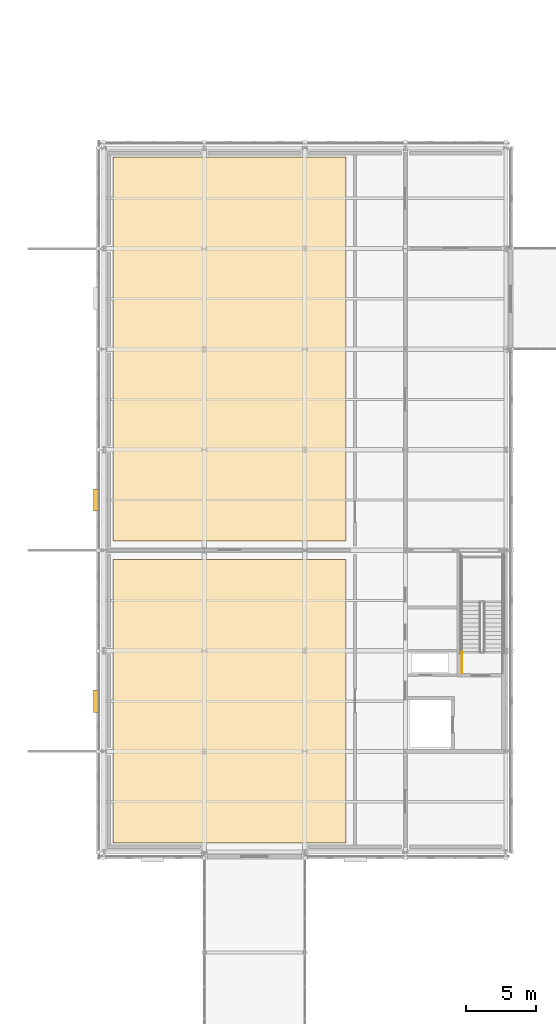
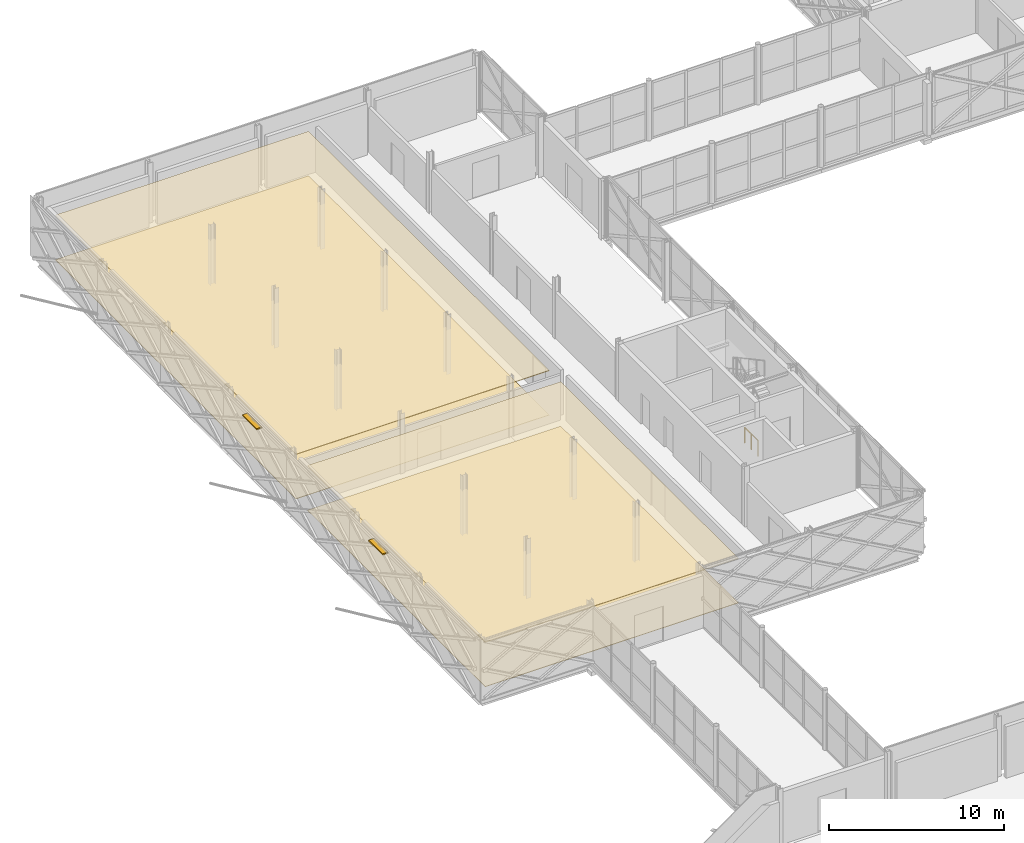
# One storey, part 139 of 146: 4 coverings, 2 shading devices, 1 railing.
"""IFC4 building model written with IfcOpenShell, lengths in metres."""

from ifc_helpers import new_model, si_unit, direction, frame, origin, origin_2d, place, context, subcontext, project, spatial, polyline, rectangle, circle, outline, extrude, material, layer, layer_set, type_object, element, save


model = new_model("IFC4")

# Units and contexts
model_context = context("Model", 3, precision=1e-05, world=origin(), true_north=direction((0.0, 1.0)))
body_context = subcontext(model_context, "Body", "Model", "MODEL_VIEW")
ifc_project = project(units=[si_unit("LENGTHUNIT", "METRE"), si_unit("AREAUNIT", "SQUARE_METRE"), si_unit("VOLUMEUNIT", "CUBIC_METRE"), si_unit("PLANEANGLEUNIT", "RADIAN"), si_unit("MASSUNIT", "GRAM", prefix="KILO")], contexts=[model_context])

# Site, building, storey
site_placement = place(None, origin())
site = spatial("IfcSite", under=ifc_project, at=site_placement, CompositionType="ELEMENT")
building_placement = place(site_placement, origin())
building = spatial("IfcBuilding", under=site, at=building_placement, Name="Zlatovets Crest Museum", CompositionType="ELEMENT")
storey_placement = place(building_placement, frame((0.0, 0.0, 4.5)))
storey = spatial("IfcBuildingStorey", under=building, at=storey_placement, Name="L01", CompositionType="ELEMENT", Elevation=4.5)

# Coverings
ifc_material_1 = material(Name="Micro-perforated gypsum acoustic gallery ceiling")
ifc_layer_1 = layer(ifc_material_1, 0.050048828125)
ifc_layer_set_1 = layer_set([ifc_layer_1], Name="Micro-perforated gypsum acoustic gallery ceiling")
covering_type_1 = type_object("IfcCoveringType", Name="GalleryCeiling_CLG1", PredefinedType="CEILING", material=ifc_layer_set_1)
covering_1_placement = place(storey_placement, frame((0.0, 0.0, 3.090087890625)))
element("IfcCovering", 1, at=covering_1_placement, inside=storey, type_object=covering_type_1, Name="Secession Furniture and Woodwork Salon Acoustic Ceiling", PredefinedType="CEILING", context=body_context, shape_type="SweptSolid", body=[
    extrude(outline(polyline([(7.85009765625, 51.050048828125), (24.550048828125, 51.050048828125), (24.550048828125, 71.35009765625), (7.85009765625, 71.35009765625), (7.85009765625, 51.050048828125)])), origin(), (0.0, 0.0, 1.0), 0.0498046875),
])
covering_2_placement = place(storey_placement, frame((0.0, 0.0, 3.090087890625)))
element("IfcCovering", 2, at=covering_2_placement, inside=storey, type_object=covering_type_1, Name="Wrought Iron and Bronze Artistry Gallery Acoustic Ceiling", PredefinedType="CEILING", context=body_context, shape_type="SweptSolid", body=[
    extrude(outline(polyline([(7.85009765625, 72.64990234375), (24.550048828125, 72.64990234375), (24.550048828125, 100.14990234375), (7.85009765625, 100.14990234375), (7.85009765625, 72.64990234375)])), origin(), (0.0, 0.0, 1.0), 0.0498046875),
])
ifc_material_2 = material(Name="Quarter-sawn European oak herringbone gallery parquet")
ifc_layer_2 = layer(ifc_material_2, 0.030029296875)
ifc_layer_set_2 = layer_set([ifc_layer_2], Name="Quarter-sawn European oak herringbone gallery parquet")
covering_type_2 = type_object("IfcCoveringType", Name="GalleryFloor_FLR1", PredefinedType="FLOORING", material=ifc_layer_set_2)
covering_3_placement = place(storey_placement, origin())
element("IfcCovering", 3, at=covering_3_placement, inside=storey, type_object=covering_type_2, Name="Secession Furniture and Woodwork Salon Floor Finish", PredefinedType="FLOORING", context=body_context, shape_type="SweptSolid", body=[
    extrude(outline(polyline([(7.85009765625, 51.050048828125), (24.550048828125, 51.050048828125), (24.550048828125, 71.35009765625), (7.85009765625, 71.35009765625), (7.85009765625, 51.050048828125)])), origin(), (0.0, 0.0, 1.0), 0.030029296875),
])
covering_4_placement = place(storey_placement, origin())
element("IfcCovering", 4, at=covering_4_placement, inside=storey, type_object=covering_type_2, Name="Wrought Iron and Bronze Artistry Gallery Floor Finish", PredefinedType="FLOORING", context=body_context, shape_type="SweptSolid", body=[
    extrude(outline(polyline([(7.85009765625, 72.64990234375), (24.550048828125, 72.64990234375), (24.550048828125, 100.14990234375), (7.85009765625, 100.14990234375), (7.85009765625, 72.64990234375)])), origin(), (0.0, 0.0, 1.0), 0.030029296875),
])

# Railing
ifc_material_3 = material(Name="Painted steel safety guardrail", Category="steel")
railing_type = type_object("IfcRailingType", Name="StairGuard_SG01", PredefinedType="GUARDRAIL", material=ifc_material_3)
railing_placement = place(storey_placement, frame((32.85009765625, 63.199951171875, 0.0)))
element("IfcRailing", 5, at=railing_placement, inside=storey, type_object=railing_type, Name="L01 ST4 stair guard 8", PredefinedType="GUARDRAIL", context=body_context, shape_type="SweptSolid", body=[
    extrude(circle(Radius=0.02392578125, at=origin_2d()), frame((0.0, 0.0, 1.076171875), z_axis=(0.0, 1.0, 0.0), x_axis=(-1.0, 0.0, 0.0)), (0.0, 0.0, 1.0), 1.5),
    extrude(circle(Radius=0.02099609375, at=origin_2d()), origin(), (0.0, 0.0, 1.0), 1.052001953125),
    extrude(circle(Radius=0.02099609375, at=origin_2d()), frame((0.0, 0.75, 0.0)), (0.0, 0.0, 1.0), 1.052001953125),
    extrude(circle(Radius=0.02099609375, at=origin_2d()), frame((0.0, 1.5, 0.0)), (0.0, 0.0, 1.0), 1.052001953125),
])

# Shading devices
ifc_material_4 = material(Name="Patinated bronze solar-control louvre", Category="aluminium")
shading_device_type = type_object("IfcShadingDeviceType", Name="SunLouvre_SL01", PredefinedType="JALOUSIE", material=ifc_material_4)
for number, where, z_axis, x_axis, name in (
    (6, (6.659912109375, 75.60009765625, 4.010009765625), (0.0, 0.0, 1.0), (0.0, 1.0, 0.0), "Bronze Solar-Control Louvre Hood"),
    (7, (6.659912109375, 61.199951171875, 4.010009765625), (0.0, 0.0, 1.0), (0.0, 1.0, 0.0), "Bronze Solar-Control Louvre Hood"),
):
    element("IfcShadingDevice", number, at=place(storey_placement, frame(where, z_axis=z_axis, x_axis=x_axis)), inside=storey, type_object=shading_device_type, Name=name, PredefinedType="JALOUSIE", context=body_context, shape_type="SweptSolid", body=[
        extrude(rectangle(XDim=1.60009765625, YDim=0.35009765625, at=origin_2d()), origin(), (0.0, 0.0, 1.0), 0.080078125),
    ])

save(model, "model.ifc")
